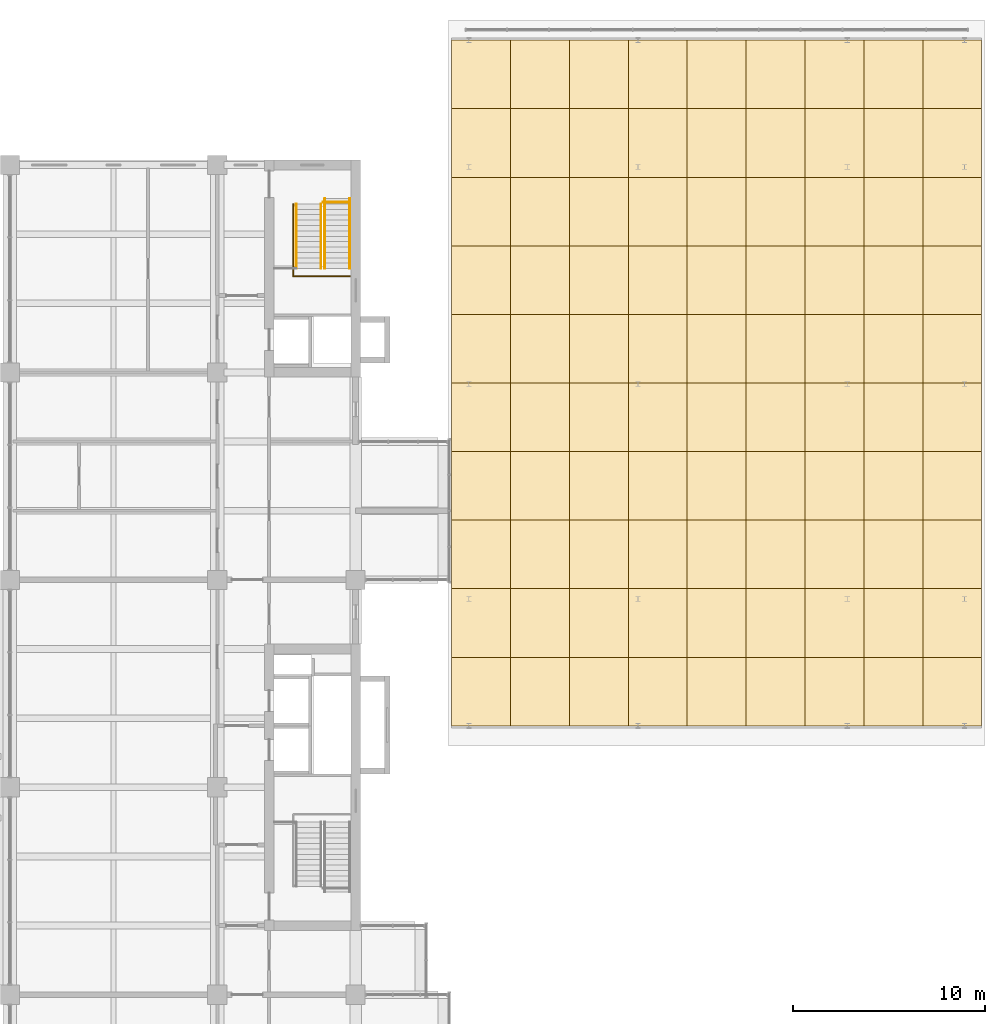
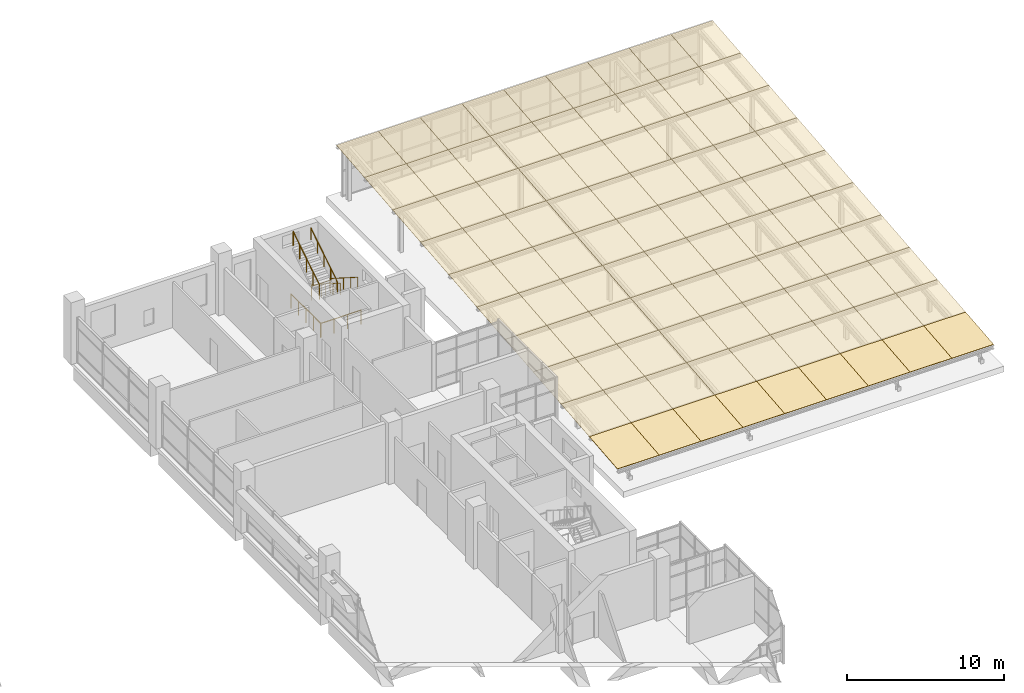
# One storey, part 44 of 44: 90 coverings, 6 railings.
"""IFC4 building model written with IfcOpenShell, lengths in metres."""

from ifc_helpers import new_model, si_unit, direction, frame, origin, origin_2d, place, context, subcontext, project, spatial, polyline, circle, outline, extrude, material, layer, layer_set, type_object, element, save


model = new_model("IFC4")

# Units and contexts
model_context = context("Model", 3, precision=1e-05, world=origin(), true_north=direction((0.0, 1.0)))
body_context = subcontext(model_context, "Body", "Model", "MODEL_VIEW")
ifc_project = project(units=[si_unit("LENGTHUNIT", "METRE"), si_unit("AREAUNIT", "SQUARE_METRE"), si_unit("VOLUMEUNIT", "CUBIC_METRE"), si_unit("PLANEANGLEUNIT", "RADIAN"), si_unit("MASSUNIT", "GRAM", prefix="KILO")], contexts=[model_context])

# Site, building, storey
site_placement = place(None, origin())
site = spatial("IfcSite", under=ifc_project, at=site_placement, CompositionType="ELEMENT")
building_placement = place(site_placement, origin())
building = spatial("IfcBuilding", under=site, at=building_placement, Name="Basin Gate Institute", CompositionType="ELEMENT")
storey_placement = place(building_placement, frame((0.0, 0.0, 27.0)))
storey = spatial("IfcBuildingStorey", under=building, at=storey_placement, Name="L05", CompositionType="ELEMENT", Elevation=27.0)

# Railings
ifc_material_1 = material(Name="Stainless steel", Category="steel")
railing_type_1 = type_object("IfcRailingType", Name="Stair guard GR1", PredefinedType="GUARDRAIL", material=ifc_material_1)
railing_1_placement = place(storey_placement, frame((115.550048828125, 97.8701171875, 0.0)))
element("IfcRailing", 1, at=railing_1_placement, inside=storey, type_object=railing_type_1, material=ifc_material_1, Name="Stair guard GR1 EN GD3-L04", PredefinedType="GUARDRAIL", context=body_context, shape_type="SweptSolid", body=[
    extrude(circle(Radius=0.02392578125, at=origin_2d()), frame((0.0, 0.0, 1.076171875), z_axis=(0.0, -1.0, 0.0), x_axis=(1.0, 0.0, 0.0)), (0.0, 0.0, 1.0), 3.760009765625),
    extrude(circle(Radius=0.02392578125, at=origin_2d()), frame((0.0, -3.760009765625, 1.076171875), z_axis=(1.0, 0.0, 0.0), x_axis=(0.0, 1.0, 0.0)), (0.0, 0.0, 1.0), 2.949951171875),
    extrude(circle(Radius=0.02099609375, at=origin_2d()), origin(), (0.0, 0.0, 1.0), 1.052001953125),
    extrude(circle(Radius=0.02099609375, at=origin_2d()), frame((0.0, -0.93994140625, 0.0)), (0.0, 0.0, 1.0), 1.052001953125),
    extrude(circle(Radius=0.02099609375, at=origin_2d()), frame((0.0, -1.8798828125, 0.0)), (0.0, 0.0, 1.0), 1.052001953125),
    extrude(circle(Radius=0.02099609375, at=origin_2d()), frame((0.0, -2.820068359375, 0.0)), (0.0, 0.0, 1.0), 1.052001953125),
    extrude(circle(Radius=0.02099609375, at=origin_2d()), frame((0.0, -3.760009765625, 0.0)), (0.0, 0.0, 1.0), 1.052001953125),
    extrude(circle(Radius=0.02099609375, at=origin_2d()), frame((0.9833984375, -3.760009765625, 0.0)), (0.0, 0.0, 1.0), 1.052001953125),
    extrude(circle(Radius=0.02099609375, at=origin_2d()), frame((1.966552734375, -3.760009765625, 0.0)), (0.0, 0.0, 1.0), 1.052001953125),
    extrude(circle(Radius=0.02099609375, at=origin_2d()), frame((2.949951171875, -3.760009765625, 0.0)), (0.0, 0.0, 1.0), 1.052001953125),
])
railing_2_placement = place(storey_placement, frame((118.5, 97.949951171875, 0.0)))
element("IfcRailing", 2, at=railing_2_placement, inside=storey, type_object=railing_type_1, material=ifc_material_1, Name="Stair guard GR1 EN GD4-L04", PredefinedType="GUARDRAIL", context=body_context, shape_type="SweptSolid", body=[
    extrude(circle(Radius=0.02392578125, at=origin_2d()), frame((0.0, 0.0, 1.076171875), z_axis=(-1.0, 0.0, 0.0), x_axis=(0.0, -1.0, 0.0)), (0.0, 0.0, 1.0), 1.39990234375),
    extrude(circle(Radius=0.02099609375, at=origin_2d()), origin(), (0.0, 0.0, 1.0), 1.052001953125),
    extrude(circle(Radius=0.02099609375, at=origin_2d()), frame((-0.699951171875, 0.0, 0.0)), (0.0, 0.0, 1.0), 1.052001953125),
    extrude(circle(Radius=0.02099609375, at=origin_2d()), frame((-1.39990234375, 0.0, 0.0)), (0.0, 0.0, 1.0), 1.052001953125),
])
railing_3_placement = place(storey_placement, frame((115.699951171875, 94.510009765625, 2.666748046875)))
element("IfcRailing", 3, at=railing_3_placement, inside=storey, type_object=railing_type_1, material=ifc_material_1, Name="Stair guard GR1 EN GD1", PredefinedType="GUARDRAIL", context=body_context, shape_type="SweptSolid", body=[
    extrude(circle(Radius=0.02392578125, at=origin_2d()), frame((0.0, 0.0, 1.076171875), z_axis=(0.0, 0.844224270207, 0.535990094679), x_axis=(-1.0, 0.0, 0.0)), (0.0, 0.0, 1.0), 3.980224609375),
    extrude(circle(Radius=0.02099609375, at=origin_2d()), origin(), (0.0, 0.0, 1.0), 1.052001953125),
    extrude(circle(Radius=0.02099609375, at=origin_2d()), frame((0.0, 0.840087890625, 0.533203125)), (0.0, 0.0, 1.0), 1.052001953125),
    extrude(circle(Radius=0.02099609375, at=origin_2d()), frame((0.0, 1.68017578125, 1.066650390625)), (0.0, 0.0, 1.0), 1.052001953125),
    extrude(circle(Radius=0.02099609375, at=origin_2d()), frame((0.0, 2.52001953125, 1.60009765625)), (0.0, 0.0, 1.0), 1.052001953125),
    extrude(circle(Radius=0.02099609375, at=origin_2d()), frame((0.0, 3.360107421875, 2.13330078125)), (0.0, 0.0, 1.0), 1.052001953125),
])
ifc_material_2 = material(Name="Stainless steel", Category="steel")
railing_type_2 = type_object("IfcRailingType", Name="Stair handrail HR1", PredefinedType="HANDRAIL", material=ifc_material_2)
for number, where, name in (
    (4, (118.5, 98.14990234375, 0.177734375), "Stair handrail HR1 EN HR1"),
    (5, (117.199951171875, 98.14990234375, 0.177734375), "Stair handrail HR1 EN HR2"),
):
    element("IfcRailing", number, at=place(storey_placement, frame(where)), inside=storey, type_object=railing_type_2, material=ifc_material_2, Name=name, PredefinedType="HANDRAIL", context=body_context, shape_type="SweptSolid", body=[
        extrude(circle(Radius=0.02392578125, at=origin_2d()), frame((0.0, 0.0, 0.89599609375), z_axis=(0.0, -0.84421362867, 0.536006855523), x_axis=(1.0, 0.0, 0.0)), (0.0, 0.0, 1.0), 4.3115234375),
        extrude(circle(Radius=0.02099609375, at=origin_2d()), origin(), (0.0, 0.0, 1.0), 0.871826171875),
        extrude(circle(Radius=0.02099609375, at=origin_2d()), frame((0.0, -0.909912109375, 0.57763671875)), (0.0, 0.0, 1.0), 0.871826171875),
        extrude(circle(Radius=0.02099609375, at=origin_2d()), frame((0.0, -1.81982421875, 1.155517578125)), (0.0, 0.0, 1.0), 0.871826171875),
        extrude(circle(Radius=0.02099609375, at=origin_2d()), frame((0.0, -2.72998046875, 1.7333984375)), (0.0, 0.0, 1.0), 0.871826171875),
        extrude(circle(Radius=0.02099609375, at=origin_2d()), frame((0.0, -3.639892578125, 2.31103515625)), (0.0, 0.0, 1.0), 0.871826171875),
    ])
railing_4_placement = place(storey_placement, frame((117.0, 94.510009765625, 2.666748046875)))
element("IfcRailing", 6, at=railing_4_placement, inside=storey, type_object=railing_type_2, material=ifc_material_2, Name="Stair handrail HR1 EN HR3", PredefinedType="HANDRAIL", context=body_context, shape_type="SweptSolid", body=[
    extrude(circle(Radius=0.02392578125, at=origin_2d()), frame((0.0, 0.0, 0.89599609375), z_axis=(0.0, 0.844224270207, 0.535990094679), x_axis=(-1.0, 0.0, 0.0)), (0.0, 0.0, 1.0), 3.980224609375),
    extrude(circle(Radius=0.02099609375, at=origin_2d()), origin(), (0.0, 0.0, 1.0), 0.871826171875),
    extrude(circle(Radius=0.02099609375, at=origin_2d()), frame((0.0, 0.840087890625, 0.533203125)), (0.0, 0.0, 1.0), 0.871826171875),
    extrude(circle(Radius=0.02099609375, at=origin_2d()), frame((0.0, 1.68017578125, 1.066650390625)), (0.0, 0.0, 1.0), 0.871826171875),
    extrude(circle(Radius=0.02099609375, at=origin_2d()), frame((0.0, 2.52001953125, 1.60009765625)), (0.0, 0.0, 1.0), 0.871826171875),
    extrude(circle(Radius=0.02099609375, at=origin_2d()), frame((0.0, 3.360107421875, 2.13330078125)), (0.0, 0.0, 1.0), 0.871826171875),
])

# Coverings
ifc_material_3 = material(Name="Laminated toughened glass", Category="glass")
ifc_layer = layer(ifc_material_3, 0.030029296875)
ifc_layer_set = layer_set([ifc_layer], Name="Umbrella roof glazing panel PN90")
covering_type = type_object("IfcCoveringType", Name="Umbrella roof glazing panel PN90", PredefinedType="ROOFING", material=ifc_layer_set)
for number, where, z_axis, x_axis, name in (
    (7, (123.800048828125, 70.699951171875, 1.097900390625), (0.0, -0.096585227012, 0.99532471783), (1.0, 0.0, 0.0), "Umbrella roof glazing panel 1-1"),
    (8, (126.86669921875, 70.699951171875, 1.097900390625), (0.0, -0.096585227012, 0.99532471783), (1.0, 0.0, 0.0), "Umbrella roof glazing panel 1-2"),
    (9, (129.933349609375, 70.699951171875, 1.097900390625), (0.0, -0.096585227012, 0.99532471783), (1.0, 0.0, 0.0), "Umbrella roof glazing panel 1-3"),
    (10, (133.0, 70.699951171875, 1.097900390625), (0.0, -0.096585227012, 0.99532471783), (1.0, 0.0, 0.0), "Umbrella roof glazing panel 1-4"),
    (11, (136.066650390625, 70.699951171875, 1.097900390625), (0.0, -0.096585227012, 0.99532471783), (1.0, 0.0, 0.0), "Umbrella roof glazing panel 1-5"),
    (12, (139.13330078125, 70.699951171875, 1.097900390625), (0.0, -0.096585227012, 0.99532471783), (1.0, 0.0, 0.0), "Umbrella roof glazing panel 1-6"),
    (13, (142.199951171875, 70.699951171875, 1.097900390625), (0.0, -0.096585227012, 0.99532471783), (1.0, 0.0, 0.0), "Umbrella roof glazing panel 1-7"),
    (14, (145.2666015625, 70.699951171875, 1.097900390625), (0.0, -0.096585227012, 0.99532471783), (1.0, 0.0, 0.0), "Umbrella roof glazing panel 1-8"),
    (15, (148.333251953125, 70.699951171875, 1.097900390625), (0.0, -0.096585227012, 0.99532471783), (1.0, 0.0, 0.0), "Umbrella roof glazing panel 1-9"),
    (16, (123.800048828125, 74.27001953125, 1.4443359375), (0.0, -0.096585227012, 0.99532471783), (1.0, 0.0, 0.0), "Umbrella roof glazing panel 2-1"),
    (17, (126.86669921875, 74.27001953125, 1.4443359375), (0.0, -0.096585227012, 0.99532471783), (1.0, 0.0, 0.0), "Umbrella roof glazing panel 2-2"),
    (18, (129.933349609375, 74.27001953125, 1.4443359375), (0.0, -0.096585227012, 0.99532471783), (1.0, 0.0, 0.0), "Umbrella roof glazing panel 2-3"),
    (19, (133.0, 74.27001953125, 1.4443359375), (0.0, -0.096585227012, 0.99532471783), (1.0, 0.0, 0.0), "Umbrella roof glazing panel 2-4"),
    (20, (136.066650390625, 74.27001953125, 1.4443359375), (0.0, -0.096585227012, 0.99532471783), (1.0, 0.0, 0.0), "Umbrella roof glazing panel 2-5"),
    (21, (139.13330078125, 74.27001953125, 1.4443359375), (0.0, -0.096585227012, 0.99532471783), (1.0, 0.0, 0.0), "Umbrella roof glazing panel 2-6"),
    (22, (142.199951171875, 74.27001953125, 1.4443359375), (0.0, -0.096585227012, 0.99532471783), (1.0, 0.0, 0.0), "Umbrella roof glazing panel 2-7"),
    (23, (145.2666015625, 74.27001953125, 1.4443359375), (0.0, -0.096585227012, 0.99532471783), (1.0, 0.0, 0.0), "Umbrella roof glazing panel 2-8"),
    (24, (148.333251953125, 74.27001953125, 1.4443359375), (0.0, -0.096585227012, 0.99532471783), (1.0, 0.0, 0.0), "Umbrella roof glazing panel 2-9"),
):
    element("IfcCovering", number, at=place(storey_placement, frame(where, z_axis=z_axis, x_axis=x_axis)), inside=storey, type_object=covering_type, material=ifc_layer_set, Name=name, PredefinedType="ROOFING", context=body_context, shape_type="SweptSolid", body=[
        extrude(outline(polyline([(0.0, 0.0), (3.066650390625, 0.0), (3.066650390625, 3.586837838368092), (0.0, 3.586837838368092), (0.0, 0.0)])), origin(), (0.0, 0.0, -1.0), 0.030029296875),
    ])
for number, where, z_axis, x_axis, name in (
    (25, (123.800048828125, 77.840087890625, 1.790771484375), (0.0, -0.096591770859, 0.9953240828), (1.0, 0.0, 0.0), "Umbrella roof glazing panel 3-1"),
    (26, (126.86669921875, 77.840087890625, 1.790771484375), (0.0, -0.096591770859, 0.9953240828), (1.0, 0.0, 0.0), "Umbrella roof glazing panel 3-2"),
    (27, (129.933349609375, 77.840087890625, 1.790771484375), (0.0, -0.096591770859, 0.9953240828), (1.0, 0.0, 0.0), "Umbrella roof glazing panel 3-3"),
    (28, (133.0, 77.840087890625, 1.790771484375), (0.0, -0.096591770859, 0.9953240828), (1.0, 0.0, 0.0), "Umbrella roof glazing panel 3-4"),
    (29, (136.066650390625, 77.840087890625, 1.790771484375), (0.0, -0.096591770859, 0.9953240828), (1.0, 0.0, 0.0), "Umbrella roof glazing panel 3-5"),
    (30, (139.13330078125, 77.840087890625, 1.790771484375), (0.0, -0.096591770859, 0.9953240828), (1.0, 0.0, 0.0), "Umbrella roof glazing panel 3-6"),
    (31, (142.199951171875, 77.840087890625, 1.790771484375), (0.0, -0.096591770859, 0.9953240828), (1.0, 0.0, 0.0), "Umbrella roof glazing panel 3-7"),
    (32, (145.2666015625, 77.840087890625, 1.790771484375), (0.0, -0.096591770859, 0.9953240828), (1.0, 0.0, 0.0), "Umbrella roof glazing panel 3-8"),
    (33, (148.333251953125, 77.840087890625, 1.790771484375), (0.0, -0.096591770859, 0.9953240828), (1.0, 0.0, 0.0), "Umbrella roof glazing panel 3-9"),
):
    element("IfcCovering", number, at=place(storey_placement, frame(where, z_axis=z_axis, x_axis=x_axis)), inside=storey, type_object=covering_type, material=ifc_layer_set, Name=name, PredefinedType="ROOFING", context=body_context, shape_type="SweptSolid", body=[
        extrude(outline(polyline([(0.0, 0.0), (3.066650390625, 0.0), (3.066650390625, 3.586594839246919), (0.0, 3.586594839246919), (0.0, 0.0)])), origin(), (0.0, 0.0, -1.0), 0.030029296875),
    ])
for number, where, z_axis, x_axis, name in (
    (34, (123.800048828125, 81.409912109375, 2.13720703125), (0.0, -0.096585227012, 0.99532471783), (1.0, 0.0, 0.0), "Umbrella roof glazing panel 4-1"),
    (35, (126.86669921875, 81.409912109375, 2.13720703125), (0.0, -0.096585227012, 0.99532471783), (1.0, 0.0, 0.0), "Umbrella roof glazing panel 4-2"),
    (36, (129.933349609375, 81.409912109375, 2.13720703125), (0.0, -0.096585227012, 0.99532471783), (1.0, 0.0, 0.0), "Umbrella roof glazing panel 4-3"),
    (37, (133.0, 81.409912109375, 2.13720703125), (0.0, -0.096585227012, 0.99532471783), (1.0, 0.0, 0.0), "Umbrella roof glazing panel 4-4"),
    (38, (136.066650390625, 81.409912109375, 2.13720703125), (0.0, -0.096585227012, 0.99532471783), (1.0, 0.0, 0.0), "Umbrella roof glazing panel 4-5"),
    (39, (139.13330078125, 81.409912109375, 2.13720703125), (0.0, -0.096585227012, 0.99532471783), (1.0, 0.0, 0.0), "Umbrella roof glazing panel 4-6"),
    (40, (142.199951171875, 81.409912109375, 2.13720703125), (0.0, -0.096585227012, 0.99532471783), (1.0, 0.0, 0.0), "Umbrella roof glazing panel 4-7"),
    (41, (145.2666015625, 81.409912109375, 2.13720703125), (0.0, -0.096585227012, 0.99532471783), (1.0, 0.0, 0.0), "Umbrella roof glazing panel 4-8"),
    (42, (148.333251953125, 81.409912109375, 2.13720703125), (0.0, -0.096585227012, 0.99532471783), (1.0, 0.0, 0.0), "Umbrella roof glazing panel 4-9"),
    (43, (123.800048828125, 84.97998046875, 2.483642578125), (0.0, -0.096585227012, 0.99532471783), (1.0, 0.0, 0.0), "Umbrella roof glazing panel 5-1"),
    (44, (126.86669921875, 84.97998046875, 2.483642578125), (0.0, -0.096585227012, 0.99532471783), (1.0, 0.0, 0.0), "Umbrella roof glazing panel 5-2"),
    (45, (129.933349609375, 84.97998046875, 2.483642578125), (0.0, -0.096585227012, 0.99532471783), (1.0, 0.0, 0.0), "Umbrella roof glazing panel 5-3"),
    (46, (133.0, 84.97998046875, 2.483642578125), (0.0, -0.096585227012, 0.99532471783), (1.0, 0.0, 0.0), "Umbrella roof glazing panel 5-4"),
    (47, (136.066650390625, 84.97998046875, 2.483642578125), (0.0, -0.096585227012, 0.99532471783), (1.0, 0.0, 0.0), "Umbrella roof glazing panel 5-5"),
    (48, (139.13330078125, 84.97998046875, 2.483642578125), (0.0, -0.096585227012, 0.99532471783), (1.0, 0.0, 0.0), "Umbrella roof glazing panel 5-6"),
    (49, (142.199951171875, 84.97998046875, 2.483642578125), (0.0, -0.096585227012, 0.99532471783), (1.0, 0.0, 0.0), "Umbrella roof glazing panel 5-7"),
    (50, (145.2666015625, 84.97998046875, 2.483642578125), (0.0, -0.096585227012, 0.99532471783), (1.0, 0.0, 0.0), "Umbrella roof glazing panel 5-8"),
    (51, (148.333251953125, 84.97998046875, 2.483642578125), (0.0, -0.096585227012, 0.99532471783), (1.0, 0.0, 0.0), "Umbrella roof glazing panel 5-9"),
    (52, (123.800048828125, 88.550048828125, 2.830078125), (0.0, -0.096585227012, 0.99532471783), (1.0, 0.0, 0.0), "Umbrella roof glazing panel 6-1"),
    (53, (126.86669921875, 88.550048828125, 2.830078125), (0.0, -0.096585227012, 0.99532471783), (1.0, 0.0, 0.0), "Umbrella roof glazing panel 6-2"),
    (54, (129.933349609375, 88.550048828125, 2.830078125), (0.0, -0.096585227012, 0.99532471783), (1.0, 0.0, 0.0), "Umbrella roof glazing panel 6-3"),
    (55, (133.0, 88.550048828125, 2.830078125), (0.0, -0.096585227012, 0.99532471783), (1.0, 0.0, 0.0), "Umbrella roof glazing panel 6-4"),
    (56, (136.066650390625, 88.550048828125, 2.830078125), (0.0, -0.096585227012, 0.99532471783), (1.0, 0.0, 0.0), "Umbrella roof glazing panel 6-5"),
    (57, (139.13330078125, 88.550048828125, 2.830078125), (0.0, -0.096585227012, 0.99532471783), (1.0, 0.0, 0.0), "Umbrella roof glazing panel 6-6"),
    (58, (142.199951171875, 88.550048828125, 2.830078125), (0.0, -0.096585227012, 0.99532471783), (1.0, 0.0, 0.0), "Umbrella roof glazing panel 6-7"),
    (59, (145.2666015625, 88.550048828125, 2.830078125), (0.0, -0.096585227012, 0.99532471783), (1.0, 0.0, 0.0), "Umbrella roof glazing panel 6-8"),
    (60, (148.333251953125, 88.550048828125, 2.830078125), (0.0, -0.096585227012, 0.99532471783), (1.0, 0.0, 0.0), "Umbrella roof glazing panel 6-9"),
):
    element("IfcCovering", number, at=place(storey_placement, frame(where, z_axis=z_axis, x_axis=x_axis)), inside=storey, type_object=covering_type, material=ifc_layer_set, Name=name, PredefinedType="ROOFING", context=body_context, shape_type="SweptSolid", body=[
        extrude(outline(polyline([(0.0, 0.0), (3.066650390625, 0.0), (3.066650390625, 3.586837838368092), (0.0, 3.586837838368092), (0.0, 0.0)])), origin(), (0.0, 0.0, -1.0), 0.030029296875),
    ])
for number, where, z_axis, x_axis, name in (
    (61, (123.800048828125, 92.1201171875, 3.176513671875), (0.0, -0.096591770859, 0.9953240828), (1.0, 0.0, 0.0), "Umbrella roof glazing panel 7-1"),
    (62, (126.86669921875, 92.1201171875, 3.176513671875), (0.0, -0.096591770859, 0.9953240828), (1.0, 0.0, 0.0), "Umbrella roof glazing panel 7-2"),
    (63, (129.933349609375, 92.1201171875, 3.176513671875), (0.0, -0.096591770859, 0.9953240828), (1.0, 0.0, 0.0), "Umbrella roof glazing panel 7-3"),
    (64, (133.0, 92.1201171875, 3.176513671875), (0.0, -0.096591770859, 0.9953240828), (1.0, 0.0, 0.0), "Umbrella roof glazing panel 7-4"),
    (65, (136.066650390625, 92.1201171875, 3.176513671875), (0.0, -0.096591770859, 0.9953240828), (1.0, 0.0, 0.0), "Umbrella roof glazing panel 7-5"),
    (66, (139.13330078125, 92.1201171875, 3.176513671875), (0.0, -0.096591770859, 0.9953240828), (1.0, 0.0, 0.0), "Umbrella roof glazing panel 7-6"),
    (67, (142.199951171875, 92.1201171875, 3.176513671875), (0.0, -0.096591770859, 0.9953240828), (1.0, 0.0, 0.0), "Umbrella roof glazing panel 7-7"),
    (68, (145.2666015625, 92.1201171875, 3.176513671875), (0.0, -0.096591770859, 0.9953240828), (1.0, 0.0, 0.0), "Umbrella roof glazing panel 7-8"),
    (69, (148.333251953125, 92.1201171875, 3.176513671875), (0.0, -0.096591770859, 0.9953240828), (1.0, 0.0, 0.0), "Umbrella roof glazing panel 7-9"),
):
    element("IfcCovering", number, at=place(storey_placement, frame(where, z_axis=z_axis, x_axis=x_axis)), inside=storey, type_object=covering_type, material=ifc_layer_set, Name=name, PredefinedType="ROOFING", context=body_context, shape_type="SweptSolid", body=[
        extrude(outline(polyline([(0.0, 0.0), (3.066650390625, 0.0), (3.066650390625, 3.586594839246919), (0.0, 3.586594839246919), (0.0, 0.0)])), origin(), (0.0, 0.0, -1.0), 0.030029296875),
    ])
for number, where, z_axis, x_axis, name in (
    (70, (123.800048828125, 95.68994140625, 3.52294921875), (0.0, -0.096517795613, 0.995331258994), (1.0, 0.0, 0.0), "Umbrella roof glazing panel 8-1"),
    (71, (126.86669921875, 95.68994140625, 3.52294921875), (0.0, -0.096517795613, 0.995331258994), (1.0, 0.0, 0.0), "Umbrella roof glazing panel 8-2"),
    (72, (129.933349609375, 95.68994140625, 3.52294921875), (0.0, -0.096517795613, 0.995331258994), (1.0, 0.0, 0.0), "Umbrella roof glazing panel 8-3"),
    (73, (133.0, 95.68994140625, 3.52294921875), (0.0, -0.096517795613, 0.995331258994), (1.0, 0.0, 0.0), "Umbrella roof glazing panel 8-4"),
    (74, (136.066650390625, 95.68994140625, 3.52294921875), (0.0, -0.096517795613, 0.995331258994), (1.0, 0.0, 0.0), "Umbrella roof glazing panel 8-5"),
    (75, (139.13330078125, 95.68994140625, 3.52294921875), (0.0, -0.096517795613, 0.995331258994), (1.0, 0.0, 0.0), "Umbrella roof glazing panel 8-6"),
    (76, (142.199951171875, 95.68994140625, 3.52294921875), (0.0, -0.096517795613, 0.995331258994), (1.0, 0.0, 0.0), "Umbrella roof glazing panel 8-7"),
    (77, (145.2666015625, 95.68994140625, 3.52294921875), (0.0, -0.096517795613, 0.995331258994), (1.0, 0.0, 0.0), "Umbrella roof glazing panel 8-8"),
    (78, (148.333251953125, 95.68994140625, 3.52294921875), (0.0, -0.096517795613, 0.995331258994), (1.0, 0.0, 0.0), "Umbrella roof glazing panel 8-9"),
):
    element("IfcCovering", number, at=place(storey_placement, frame(where, z_axis=z_axis, x_axis=x_axis)), inside=storey, type_object=covering_type, material=ifc_layer_set, Name=name, PredefinedType="ROOFING", context=body_context, shape_type="SweptSolid", body=[
        extrude(outline(polyline([(0.0, 0.0), (3.066650390625, 0.0), (3.066650390625, 3.586814266221748), (0.0, 3.586814266221748), (0.0, 0.0)])), origin(), (0.0, 0.0, -1.0), 0.030029296875),
    ])
for number, where, z_axis, x_axis, name in (
    (79, (123.800048828125, 99.260009765625, 3.869140625), (0.0, -0.096585227012, 0.99532471783), (1.0, 0.0, 0.0), "Umbrella roof glazing panel 9-1"),
    (80, (126.86669921875, 99.260009765625, 3.869140625), (0.0, -0.096585227012, 0.99532471783), (1.0, 0.0, 0.0), "Umbrella roof glazing panel 9-2"),
    (81, (129.933349609375, 99.260009765625, 3.869140625), (0.0, -0.096585227012, 0.99532471783), (1.0, 0.0, 0.0), "Umbrella roof glazing panel 9-3"),
    (82, (133.0, 99.260009765625, 3.869140625), (0.0, -0.096585227012, 0.99532471783), (1.0, 0.0, 0.0), "Umbrella roof glazing panel 9-4"),
    (83, (136.066650390625, 99.260009765625, 3.869140625), (0.0, -0.096585227012, 0.99532471783), (1.0, 0.0, 0.0), "Umbrella roof glazing panel 9-5"),
    (84, (139.13330078125, 99.260009765625, 3.869140625), (0.0, -0.096585227012, 0.99532471783), (1.0, 0.0, 0.0), "Umbrella roof glazing panel 9-6"),
    (85, (142.199951171875, 99.260009765625, 3.869140625), (0.0, -0.096585227012, 0.99532471783), (1.0, 0.0, 0.0), "Umbrella roof glazing panel 9-7"),
    (86, (145.2666015625, 99.260009765625, 3.869140625), (0.0, -0.096585227012, 0.99532471783), (1.0, 0.0, 0.0), "Umbrella roof glazing panel 9-8"),
    (87, (148.333251953125, 99.260009765625, 3.869140625), (0.0, -0.096585227012, 0.99532471783), (1.0, 0.0, 0.0), "Umbrella roof glazing panel 9-9"),
):
    element("IfcCovering", number, at=place(storey_placement, frame(where, z_axis=z_axis, x_axis=x_axis)), inside=storey, type_object=covering_type, material=ifc_layer_set, Name=name, PredefinedType="ROOFING", context=body_context, shape_type="SweptSolid", body=[
        extrude(outline(polyline([(0.0, 0.0), (3.066650390625, 0.0), (3.066650390625, 3.586837838368092), (0.0, 3.586837838368092), (0.0, 0.0)])), origin(), (0.0, 0.0, -1.0), 0.030029296875),
    ])
for number, where, z_axis, x_axis, name in (
    (88, (123.800048828125, 102.830078125, 4.215576171875), (0.0, -0.096591770859, 0.9953240828), (1.0, 0.0, 0.0), "Umbrella roof glazing panel 10-1"),
    (89, (126.86669921875, 102.830078125, 4.215576171875), (0.0, -0.096591770859, 0.9953240828), (1.0, 0.0, 0.0), "Umbrella roof glazing panel 10-2"),
    (90, (129.933349609375, 102.830078125, 4.215576171875), (0.0, -0.096591770859, 0.9953240828), (1.0, 0.0, 0.0), "Umbrella roof glazing panel 10-3"),
    (91, (133.0, 102.830078125, 4.215576171875), (0.0, -0.096591770859, 0.9953240828), (1.0, 0.0, 0.0), "Umbrella roof glazing panel 10-4"),
    (92, (136.066650390625, 102.830078125, 4.215576171875), (0.0, -0.096591770859, 0.9953240828), (1.0, 0.0, 0.0), "Umbrella roof glazing panel 10-5"),
    (93, (139.13330078125, 102.830078125, 4.215576171875), (0.0, -0.096591770859, 0.9953240828), (1.0, 0.0, 0.0), "Umbrella roof glazing panel 10-6"),
    (94, (142.199951171875, 102.830078125, 4.215576171875), (0.0, -0.096591770859, 0.9953240828), (1.0, 0.0, 0.0), "Umbrella roof glazing panel 10-7"),
    (95, (145.2666015625, 102.830078125, 4.215576171875), (0.0, -0.096591770859, 0.9953240828), (1.0, 0.0, 0.0), "Umbrella roof glazing panel 10-8"),
    (96, (148.333251953125, 102.830078125, 4.215576171875), (0.0, -0.096591770859, 0.9953240828), (1.0, 0.0, 0.0), "Umbrella roof glazing panel 10-9"),
):
    element("IfcCovering", number, at=place(storey_placement, frame(where, z_axis=z_axis, x_axis=x_axis)), inside=storey, type_object=covering_type, material=ifc_layer_set, Name=name, PredefinedType="ROOFING", context=body_context, shape_type="SweptSolid", body=[
        extrude(outline(polyline([(0.0, 0.0), (3.066650390625, 0.0), (3.066650390625, 3.586594839246919), (0.0, 3.586594839246919), (0.0, 0.0)])), origin(), (0.0, 0.0, -1.0), 0.030029296875),
    ])

save(model, "model.ifc")
